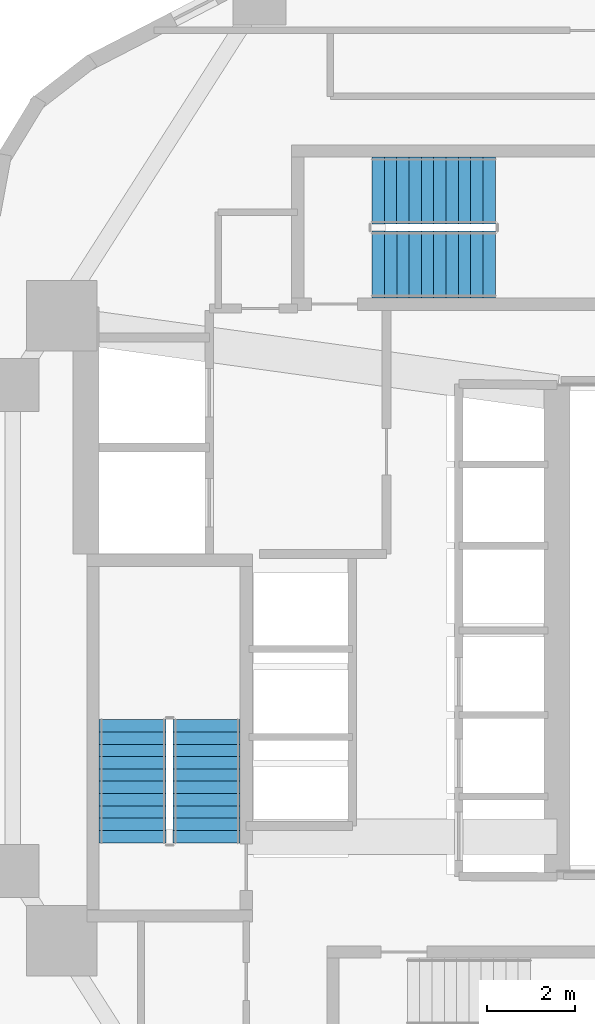
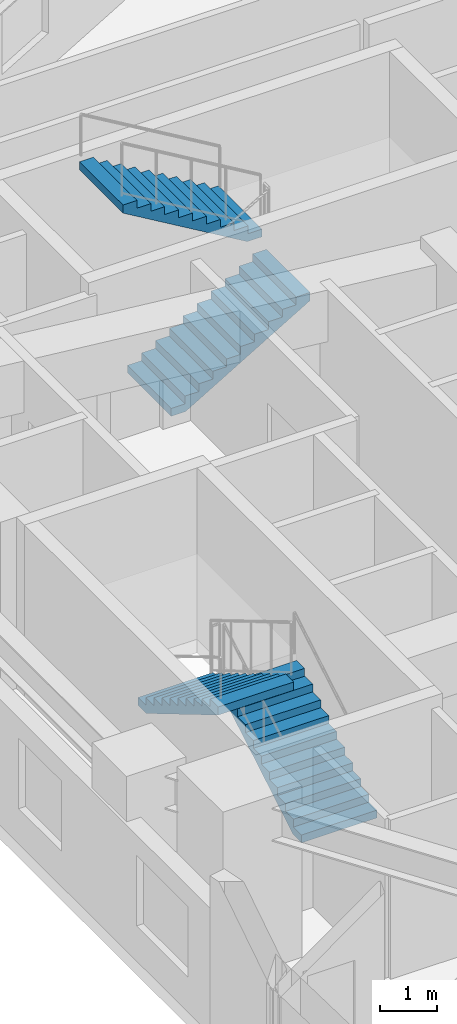
# One storey, part 8 of 10: 4 stair flights, 2 elements without a shape of their own.
"""IFC4 building model written with IfcOpenShell, lengths in metres."""

from ifc_helpers import new_model, si_unit, direction, frame, origin, place, context, subcontext, project, spatial, polyline, outline, extrude, material, type_object, element, aggregate, save


model = new_model("IFC4")

# Units and contexts
model_context = context("Model", 3, precision=1e-05, world=origin(), true_north=direction((0.0, 1.0)))
body_context = subcontext(model_context, "Body", "Model", "MODEL_VIEW")
ifc_project = project(units=[si_unit("LENGTHUNIT", "METRE"), si_unit("AREAUNIT", "SQUARE_METRE"), si_unit("VOLUMEUNIT", "CUBIC_METRE"), si_unit("PLANEANGLEUNIT", "RADIAN"), si_unit("MASSUNIT", "GRAM", prefix="KILO"), si_unit("THERMODYNAMICTEMPERATUREUNIT", "KELVIN"), si_unit("POWERUNIT", "WATT")], contexts=[model_context])

# Site, building, storey
site_placement = place(None, origin())
site = spatial("IfcSite", under=ifc_project, at=site_placement, CompositionType="ELEMENT")
building_placement = place(site_placement, origin())
building = spatial("IfcBuilding", under=site, at=building_placement, Name="Skarre Station Tower", CompositionType="ELEMENT")
storey_placement = place(building_placement, frame((0.0, 0.0, 59.85009765625)))
storey = spatial("IfcBuildingStorey", under=building, at=storey_placement, Name="L15", CompositionType="ELEMENT", Elevation=59.85009765625)

# Stair, stair flights
ifc_material = material(Name="Concrete C40/50", Category="concrete")
stair_type_1 = type_object("IfcStairType", Name="Reinforced Concrete Exit Stair ST-1", PredefinedType="HALF_TURN_STAIR", material=ifc_material)
stair_1_placement = place(storey_placement, origin())
stair_1 = element("IfcStair", 1, at=stair_1_placement, inside=storey, type_object=stair_type_1, Name="L15 Core Exit Stair ST-1", PredefinedType="HALF_TURN_STAIR")
stair_flight_type_1 = type_object("IfcStairFlightType", Name="Reinforced Concrete Stair Flight ST-1", PredefinedType="STRAIGHT", material=ifc_material)
stair_flight_1_placement = place(storey_placement, frame((19.590087890625, 19.1201171875, 0.0), z_axis=(0.0, 0.0, 1.0), x_axis=(0.0, 1.0, 0.0)))
stair_flight_1 = element("IfcStairFlight", 2, at=stair_flight_1_placement, type_object=stair_flight_type_1, Name="ST-1 flight 1", NumberOfRisers=11, NumberOfTreads=10, PredefinedType="STRAIGHT", RiserHeight=0.165909091, TreadLength=0.28, context=body_context, shape_type="SweptSolid", body=[
    extrude(outline(polyline([(0.0, 0.0), (0.0, 0.166015625), (0.280029296875, 0.166015625), (0.280029296875, 0.331787109375), (0.56005859375, 0.331787109375), (0.56005859375, 0.497802734375), (0.840087890625, 0.497802734375), (0.840087890625, 0.66357421875), (1.1201171875, 0.66357421875), (1.1201171875, 0.82958984375), (1.39990234375, 0.82958984375), (1.39990234375, 0.995361328125), (1.679931640625, 0.995361328125), (1.679931640625, 1.161376953125), (1.9599609375, 1.161376953125), (1.9599609375, 1.327392578125), (2.239990234375, 1.327392578125), (2.239990234375, 1.4931640625), (2.52001953125, 1.4931640625), (2.52001953125, 1.6591796875), (2.800048828125, 1.6591796875), (2.800048828125, 1.824951171875), (2.800048828125, 1.48486328125), (0.2939453125, 0.0), (0.0, 0.0)])), frame((0.0, 0.760009765625, 0.0), z_axis=(0.0, -1.0, 0.0), x_axis=(1.0, 0.0, 0.0)), (0.0, 0.0, 1.0), 1.52001953125),
])
stair_flight_2_placement = place(storey_placement, frame((17.909912109375, 21.919921875, 1.824951171875), z_axis=(0.0, 0.0, 1.0), x_axis=(0.0, -1.0, 0.0)))
stair_flight_2 = element("IfcStairFlight", 3, at=stair_flight_2_placement, type_object=stair_flight_type_1, Name="ST-1 flight 2", NumberOfRisers=11, NumberOfTreads=10, PredefinedType="STRAIGHT", RiserHeight=0.165909091, TreadLength=0.28, context=body_context, shape_type="SweptSolid", body=[
    extrude(outline(polyline([(0.0, 0.0), (0.0, 0.166015625), (0.280029296875, 0.166015625), (0.280029296875, 0.331787109375), (0.56005859375, 0.331787109375), (0.56005859375, 0.497802734375), (0.840087890625, 0.497802734375), (0.840087890625, 0.66357421875), (1.1201171875, 0.66357421875), (1.1201171875, 0.82958984375), (1.39990234375, 0.82958984375), (1.39990234375, 0.995361328125), (1.679931640625, 0.995361328125), (1.679931640625, 1.161376953125), (1.9599609375, 1.161376953125), (1.9599609375, 1.327392578125), (2.239990234375, 1.327392578125), (2.239990234375, 1.4931640625), (2.52001953125, 1.4931640625), (2.52001953125, 1.6591796875), (2.800048828125, 1.6591796875), (2.800048828125, 1.824951171875), (2.800048828125, 1.48486328125), (0.2939453125, 0.0), (0.0, 0.0)])), frame((0.0, 0.760009765625, 0.0), z_axis=(0.0, -1.0, 0.0), x_axis=(1.0, 0.0, 0.0)), (0.0, 0.0, 1.0), 1.52001953125),
])
aggregate(stair_1, [stair_flight_1, stair_flight_2])

stair_type_2 = type_object("IfcStairType", Name="Reinforced Concrete Exit Stair ST-3", PredefinedType="HALF_TURN_STAIR", material=ifc_material)
stair_2_placement = place(storey_placement, origin())
stair_2 = element("IfcStair", 4, at=stair_2_placement, inside=storey, type_object=stair_type_2, Name="L15 Core Exit Stair ST-3", PredefinedType="HALF_TURN_STAIR")
stair_flight_type_2 = type_object("IfcStairFlightType", Name="Reinforced Concrete Stair Flight ST-3", PredefinedType="STRAIGHT", material=ifc_material)
stair_flight_3_placement = place(storey_placement, frame((23.35009765625, 32.260009765625, 0.0), z_axis=(0.0, 0.0, 1.0), x_axis=(1.0, 0.0, 0.0)))
stair_flight_3 = element("IfcStairFlight", 5, at=stair_flight_3_placement, type_object=stair_flight_type_2, Name="ST-3 flight 1", NumberOfRisers=11, NumberOfTreads=10, PredefinedType="STRAIGHT", RiserHeight=0.165909091, TreadLength=0.28, context=body_context, shape_type="SweptSolid", body=[
    extrude(outline(polyline([(0.0, 0.0), (0.0, 0.166015625), (0.280029296875, 0.166015625), (0.280029296875, 0.331787109375), (0.56005859375, 0.331787109375), (0.56005859375, 0.497802734375), (0.840087890625, 0.497802734375), (0.840087890625, 0.66357421875), (1.1201171875, 0.66357421875), (1.1201171875, 0.82958984375), (1.39990234375, 0.82958984375), (1.39990234375, 0.995361328125), (1.679931640625, 0.995361328125), (1.679931640625, 1.161376953125), (1.9599609375, 1.161376953125), (1.9599609375, 1.327392578125), (2.239990234375, 1.327392578125), (2.239990234375, 1.4931640625), (2.52001953125, 1.4931640625), (2.52001953125, 1.6591796875), (2.800048828125, 1.6591796875), (2.800048828125, 1.824951171875), (2.800048828125, 1.48486328125), (0.2939453125, 0.0), (0.0, 0.0)])), frame((0.0, 0.760009765625, 0.0), z_axis=(0.0, -1.0, 0.0), x_axis=(1.0, 0.0, 0.0)), (0.0, 0.0, 1.0), 1.52001953125),
])
stair_flight_4_placement = place(storey_placement, frame((26.14990234375, 33.93994140625, 1.824951171875), z_axis=(0.0, 0.0, 1.0), x_axis=(-1.0, 0.0, 0.0)))
stair_flight_4 = element("IfcStairFlight", 6, at=stair_flight_4_placement, type_object=stair_flight_type_2, Name="ST-3 flight 2", NumberOfRisers=11, NumberOfTreads=10, PredefinedType="STRAIGHT", RiserHeight=0.165909091, TreadLength=0.28, context=body_context, shape_type="SweptSolid", body=[
    extrude(outline(polyline([(0.0, 0.0), (0.0, 0.166015625), (0.280029296875, 0.166015625), (0.280029296875, 0.331787109375), (0.56005859375, 0.331787109375), (0.56005859375, 0.497802734375), (0.840087890625, 0.497802734375), (0.840087890625, 0.66357421875), (1.1201171875, 0.66357421875), (1.1201171875, 0.82958984375), (1.39990234375, 0.82958984375), (1.39990234375, 0.995361328125), (1.679931640625, 0.995361328125), (1.679931640625, 1.161376953125), (1.9599609375, 1.161376953125), (1.9599609375, 1.327392578125), (2.239990234375, 1.327392578125), (2.239990234375, 1.4931640625), (2.52001953125, 1.4931640625), (2.52001953125, 1.6591796875), (2.800048828125, 1.6591796875), (2.800048828125, 1.824951171875), (2.800048828125, 1.48486328125), (0.2939453125, 0.0), (0.0, 0.0)])), frame((0.0, 0.760009765625, 0.0), z_axis=(0.0, -1.0, 0.0), x_axis=(1.0, 0.0, 0.0)), (0.0, 0.0, 1.0), 1.52001953125),
])
aggregate(stair_2, [stair_flight_3, stair_flight_4])

save(model, "model.ifc")
